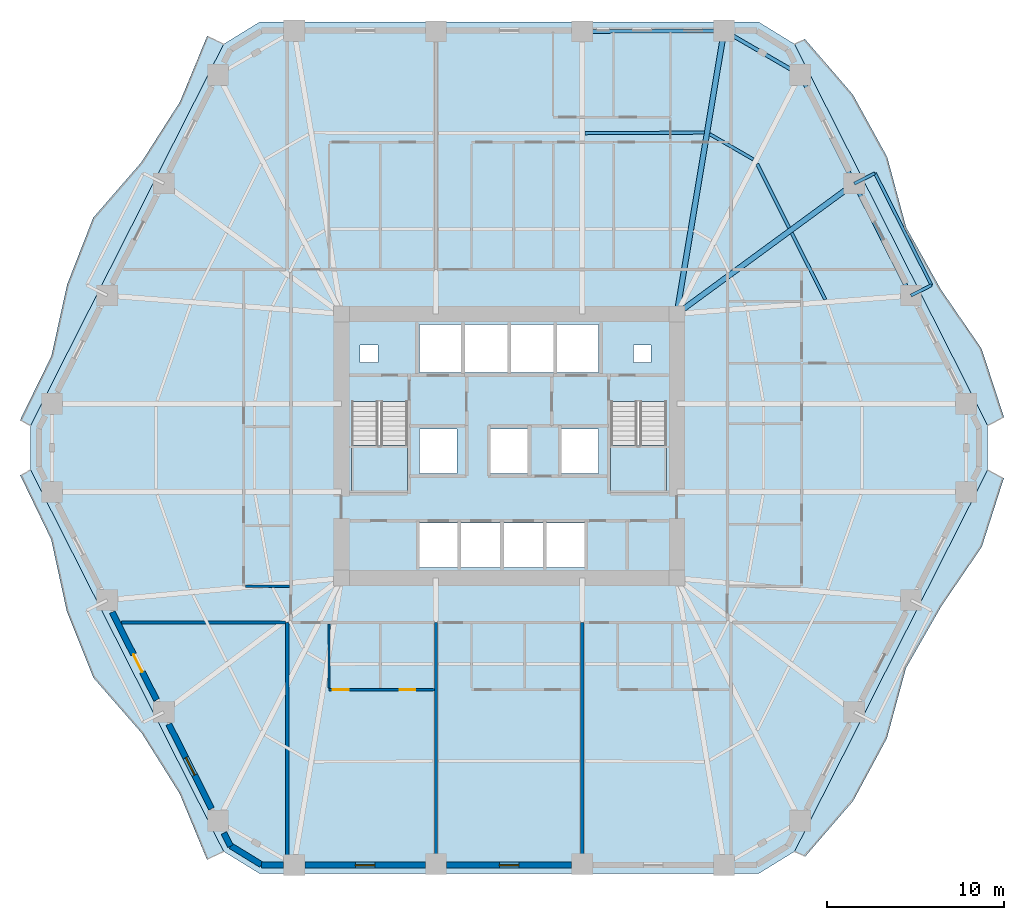
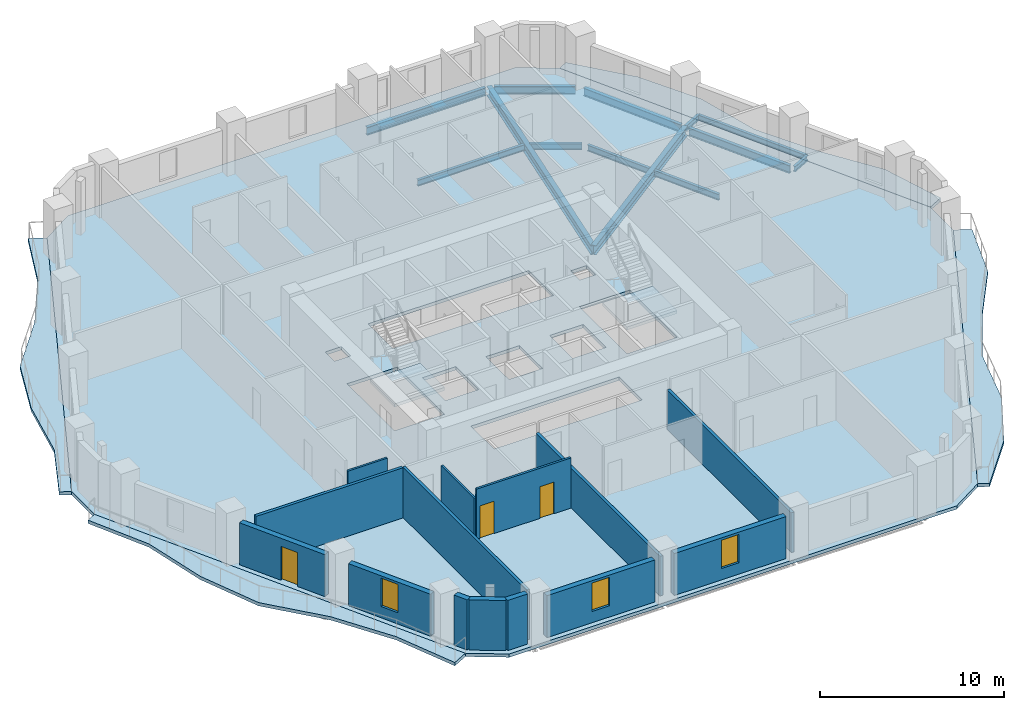
# One storey, part 3 of 11: 14 walls, 13 beams, 7 slabs, 3 doors, 3 windows, 6 openings, 2 elements without a shape of their own.
"""IFC4 building model written with IfcOpenShell, lengths in metres."""

from ifc_helpers import new_model, si_unit, direction, frame, frame_2d, origin, origin_2d, place, context, subcontext, project, spatial, polyline, rectangle, i_section, outline, extrude, material, layer, layer_set, material_profile, profile_set, type_object, element, fill, aggregate, save


model = new_model("IFC4")

# Units and contexts
model_context = context("Model", 3, precision=1e-05, world=origin(), true_north=direction((0.0, 1.0)))
body_context = subcontext(model_context, "Body", "Model", "MODEL_VIEW")
ifc_project = project(units=[si_unit("LENGTHUNIT", "METRE"), si_unit("AREAUNIT", "SQUARE_METRE"), si_unit("VOLUMEUNIT", "CUBIC_METRE"), si_unit("PLANEANGLEUNIT", "RADIAN"), si_unit("MASSUNIT", "GRAM", prefix="KILO")], contexts=[model_context])

# Site, building, storey
site_placement = place(None, origin())
site = spatial("IfcSite", under=ifc_project, at=site_placement, CompositionType="ELEMENT")
building_placement = place(site_placement, origin())
building = spatial("IfcBuilding", under=site, at=building_placement, Name="Cinnabar Lancet Tower", CompositionType="ELEMENT")
storey_placement = place(building_placement, frame((0.0, 0.0, 60.39990234375)))
storey = spatial("IfcBuildingStorey", under=building, at=storey_placement, Name="L15", CompositionType="ELEMENT", Elevation=60.39990234375)

# Beams
ifc_material_1 = material(Name="Structural steel S355", Category="steel")
ifc_material_profile_1 = material_profile(ifc_material_1, i_section(OverallWidth=0.177978515625, OverallDepth=0.406494140625, WebThickness=0.0078125, FlangeThickness=0.0126953125, FilletRadius=0.01025390625, at=origin_2d()), Name="UKB 406x178x60")
ifc_profile_set_1 = profile_set([ifc_material_profile_1], Name="Structural steel S355")
beam_type_1 = type_object("IfcBeamType", Name="STR-BM-JST-406", PredefinedType="JOIST", material=ifc_profile_set_1)
beam_1_placement = place(storey_placement, frame((50.220947265625, 34.156982421875, -0.4228515625), z_axis=(-0.450834254961, 0.89260768233, 0.0), x_axis=(-0.89260768233, -0.450834254961, 0.0)))
element("IfcBeam", 1, at=beam_1_placement, inside=storey, type_object=beam_type_1, Name="L15 Secondary Floor Joist 27", PredefinedType="JOIST", context=body_context, shape_type="SweptSolid", body=[
    extrude(i_section(OverallWidth=0.177978515625, OverallDepth=0.406494140625, WebThickness=0.0078125, FlangeThickness=0.0126953125, FilletRadius=0.01025390625, at=origin_2d()), origin(), (0.0, 0.0, 1.0), 4.203369140625),
])
beam_2_placement = place(storey_placement, frame((48.18603515625, 38.18798828125, -0.4228515625), z_axis=(-0.445738672706, 0.895163133543, 0.0), x_axis=(-0.895163133543, -0.445738672706, 0.0)))
element("IfcBeam", 2, at=beam_2_placement, inside=storey, type_object=beam_type_1, Name="L15 Secondary Floor Joist 29", PredefinedType="JOIST", context=body_context, shape_type="SweptSolid", body=[
    extrude(i_section(OverallWidth=0.177978515625, OverallDepth=0.406494140625, WebThickness=0.0078125, FlangeThickness=0.0126953125, FilletRadius=0.01025390625, at=origin_2d()), origin(), (0.0, 0.0, 1.0), 4.04052734375),
])
beam_3_placement = place(storey_placement, frame((46.1669921875, 42.052001953125, -0.4228515625), z_axis=(-0.865113631149, 0.50157592167, 0.0), x_axis=(-0.50157592167, -0.865113631149, 0.0)))
element("IfcBeam", 3, at=beam_3_placement, inside=storey, type_object=beam_type_1, Name="L15 Secondary Floor Joist 31", PredefinedType="JOIST", context=body_context, shape_type="SweptSolid", body=[
    extrude(i_section(OverallWidth=0.177978515625, OverallDepth=0.406494140625, WebThickness=0.0078125, FlangeThickness=0.0126953125, FilletRadius=0.01025390625, at=origin_2d()), origin(), (0.0, 0.0, 1.0), 2.852783203125),
])
beam_4_placement = place(storey_placement, frame((43.40087890625, 43.56396484375, -0.4228515625), z_axis=(-0.999988691118, -0.004755800274, 0.0), x_axis=(0.004755800274, -0.999988691118, 0.0)))
element("IfcBeam", 4, at=beam_4_placement, inside=storey, type_object=beam_type_1, Name="L15 Secondary Floor Joist 33", PredefinedType="JOIST", context=body_context, shape_type="SweptSolid", body=[
    extrude(i_section(OverallWidth=0.177978515625, OverallDepth=0.406494140625, WebThickness=0.0078125, FlangeThickness=0.0126953125, FilletRadius=0.01025390625, at=origin_2d()), origin(), (0.0, 0.0, 1.0), 6.724853515625),
])
ifc_material_2 = material(Name="Structural steel S355", Category="steel")
ifc_material_profile_2 = material_profile(ifc_material_2, i_section(OverallWidth=0.209228515625, OverallDepth=0.533203125, WebThickness=0.010009765625, FlangeThickness=0.015625, FilletRadius=0.0126953125, at=origin_2d()), Name="UKB 533x210x92")
ifc_profile_set_2 = profile_set([ifc_material_profile_2], Name="Structural steel S355")
beam_type_2 = type_object("IfcBeamType", Name="STR-BM-SPN-533", PredefinedType="SPANDREL", material=ifc_profile_set_2)
beam_5_placement = place(storey_placement, frame((54.93310546875, 34.60302734375, -0.48681640625), z_axis=(-0.450703143926, 0.892673891214, 0.0), x_axis=(-0.892673891214, -0.450703143926, 0.0)))
element("IfcBeam", 5, at=beam_5_placement, inside=storey, type_object=beam_type_2, Name="L15 Perimeter Spandrel 10", PredefinedType="SPANDREL", context=body_context, shape_type="SweptSolid", body=[
    extrude(i_section(OverallWidth=0.209228515625, OverallDepth=0.533203125, WebThickness=0.010009765625, FlangeThickness=0.015625, FilletRadius=0.0126953125, at=origin_2d()), origin(), (0.0, 0.0, 1.0), 6.570068359375),
])
beam_6_placement = place(storey_placement, frame((51.748046875, 40.9150390625, -0.48681640625), z_axis=(-0.445953050023, 0.89505635419, 0.0), x_axis=(-0.89505635419, -0.445953050023, 0.0)))
element("IfcBeam", 6, at=beam_6_placement, inside=storey, type_object=beam_type_2, Name="L15 Perimeter Spandrel 11", PredefinedType="SPANDREL", context=body_context, shape_type="SweptSolid", body=[
    extrude(i_section(OverallWidth=0.209228515625, OverallDepth=0.533203125, WebThickness=0.010009765625, FlangeThickness=0.015625, FilletRadius=0.0126953125, at=origin_2d()), origin(), (0.0, 0.0, 1.0), 6.35498046875),
])
beam_7_placement = place(storey_placement, frame((48.5869140625, 46.951904296875, -0.48681640625), z_axis=(-0.865147238596, 0.501517951374, 0.0), x_axis=(-0.501517951374, -0.865147238596, 0.0)))
element("IfcBeam", 7, at=beam_7_placement, inside=storey, type_object=beam_type_2, Name="L15 Perimeter Spandrel 12", PredefinedType="SPANDREL", context=body_context, shape_type="SweptSolid", body=[
    extrude(i_section(OverallWidth=0.209228515625, OverallDepth=0.533203125, WebThickness=0.010009765625, FlangeThickness=0.015625, FilletRadius=0.0126953125, at=origin_2d()), origin(), (0.0, 0.0, 1.0), 4.454833984375),
])
beam_8_placement = place(storey_placement, frame((44.26708984375, 49.30908203125, -0.48681640625), z_axis=(-0.99997856757, -0.006547090947, 0.0), x_axis=(0.006547090947, -0.99997856757, 0.0)))
element("IfcBeam", 8, at=beam_8_placement, inside=storey, type_object=beam_type_2, Name="L15 Perimeter Spandrel 13", PredefinedType="SPANDREL", context=body_context, shape_type="SweptSolid", body=[
    extrude(i_section(OverallWidth=0.209228515625, OverallDepth=0.533203125, WebThickness=0.010009765625, FlangeThickness=0.015625, FilletRadius=0.0126953125, at=origin_2d()), origin(), (0.0, 0.0, 1.0), 7.495361328125),
])
ifc_material_3 = material(Name="Structural steel S355", Category="steel")
ifc_material_profile_3 = material_profile(ifc_material_3, i_section(OverallWidth=0.30712890625, OverallDepth=0.6201171875, WebThickness=0.01416015625, FlangeThickness=0.023681640625, FilletRadius=0.0166015625, at=origin_2d()), Name="UKB 610x305x179")
ifc_profile_set_3 = profile_set([ifc_material_profile_3], Name="Structural steel S355")
beam_type_3 = type_object("IfcBeamType", Name="STR-BM-UKB610-179", PredefinedType="BEAM", material=ifc_profile_set_3)
beam_9_placement = place(storey_placement, frame((51.85888671875, 40.69091796875, -0.52978515625), z_axis=(-0.80636497312, -0.591418236213, 0.0), x_axis=(0.591418236213, -0.80636497312, 0.0)))
element("IfcBeam", 9, at=beam_9_placement, inside=storey, type_object=beam_type_3, Name="L15 Corner Collector Girder 3", PredefinedType="BEAM", context=body_context, shape_type="SweptSolid", body=[
    extrude(i_section(OverallWidth=0.30712890625, OverallDepth=0.6201171875, WebThickness=0.01416015625, FlangeThickness=0.023681640625, FilletRadius=0.0166015625, at=origin_2d()), origin(), (0.0, 0.0, 1.0), 12.412353515625),
])
beam_10_placement = place(storey_placement, frame((44.51708984375, 49.31103515625, -0.52978515625), z_axis=(-0.164809990854, -0.986325335229, 0.0), x_axis=(0.986325335229, -0.164809990854, 0.0)))
element("IfcBeam", 10, at=beam_10_placement, inside=storey, type_object=beam_type_3, Name="L15 Primary Floor Girder 13", PredefinedType="BEAM", context=body_context, shape_type="SweptSolid", body=[
    extrude(i_section(OverallWidth=0.30712890625, OverallDepth=0.6201171875, WebThickness=0.01416015625, FlangeThickness=0.023681640625, FilletRadius=0.0166015625, at=origin_2d()), origin(), (0.0, 0.0, 1.0), 16.18212890625),
])
ifc_material_4 = material(Name="Structural steel S355", Category="steel")
ifc_material_profile_4 = material_profile(ifc_material_4, i_section(OverallWidth=0.17138671875, OverallDepth=0.35498046875, WebThickness=0.00732421875, FlangeThickness=0.011474609375, FilletRadius=0.01025390625, at=origin_2d()), Name="UKB 356x171x51")
ifc_profile_set_4 = profile_set([ifc_material_profile_4], Name="Structural steel S355")
beam_type_4 = type_object("IfcBeamType", Name="STR-BM-WAV-OUT", PredefinedType="BEAM", material=ifc_profile_set_4)
for number, where, z_axis, x_axis, name in (
    (11, (55.0458984375, 34.3798828125, -0.39794921875), (0.892238560088, 0.451564338597, 0.0), (-0.451564338597, 0.892238560088, 0.0), "L15 Face 3 Balcony Outlooker A"),
    (12, (51.85888671875, 40.69091796875, -0.39794921875), (0.892238560088, 0.451564338597, 0.0), (-0.451564338597, 0.892238560088, 0.0), "L15 Face 3 Balcony Outlooker B"),
):
    element("IfcBeam", number, at=place(storey_placement, frame(where, z_axis=z_axis, x_axis=x_axis)), inside=storey, type_object=beam_type_4, Name=name, PredefinedType="BEAM", context=body_context, shape_type="SweptSolid", body=[
        extrude(i_section(OverallWidth=0.17138671875, OverallDepth=0.35498046875, WebThickness=0.00732421875, FlangeThickness=0.011474609375, FilletRadius=0.01025390625, at=origin_2d()), origin(), (0.0, 0.0, 1.0), 1.30029296875),
    ])
ifc_material_5 = material(Name="Structural steel S355", Category="steel")
ifc_material_profile_5 = material_profile(ifc_material_5, i_section(OverallWidth=0.17138671875, OverallDepth=0.35498046875, WebThickness=0.00732421875, FlangeThickness=0.011474609375, FilletRadius=0.01025390625, at=origin_2d()), Name="UKB 356x171x51")
ifc_profile_set_5 = profile_set([ifc_material_profile_5], Name="Structural steel S355")
beam_type_5 = type_object("IfcBeamType", Name="STR-BM-WAV-TRIM", PredefinedType="SPANDREL", material=ifc_profile_set_5)
beam_11_placement = place(storey_placement, frame((56.2060546875, 34.967041015625, -0.39794921875), z_axis=(-0.450773692627, 0.892638268301, 0.0), x_axis=(-0.892638268301, -0.450773692627, 0.0)))
element("IfcBeam", 13, at=beam_11_placement, inside=storey, type_object=beam_type_5, Name="L15 Face 3 Balcony Edge Trimmer", PredefinedType="SPANDREL", context=body_context, shape_type="SweptSolid", body=[
    extrude(i_section(OverallWidth=0.17138671875, OverallDepth=0.35498046875, WebThickness=0.00732421875, FlangeThickness=0.011474609375, FilletRadius=0.01025390625, at=origin_2d()), origin(), (0.0, 0.0, 1.0), 7.070068359375),
])

# Stair, slab
ifc_material_6 = material(Name="Concrete C40/50", Category="concrete")
stair_type = type_object("IfcStairType", Name="ST-CORE", PredefinedType="HALF_TURN_STAIR", material=ifc_material_6)
stair_1_placement = place(storey_placement, origin())
stair_1 = element("IfcStair", 14, at=stair_1_placement, inside=storey, type_object=stair_type, Name="L15 ST-1", PredefinedType="HALF_TURN_STAIR")
ifc_material_7 = material(Name="Concrete C40/50", Category="concrete")
ifc_layer_1 = layer(ifc_material_7, 0.199951171875)
ifc_layer_set_1 = layer_set([ifc_layer_1], Name="Concrete C40/50")
slab_type_1 = type_object("IfcSlabType", Name="LANDING-CORE", PredefinedType="LANDING", material=ifc_layer_set_1)
slab_1_placement = place(storey_placement, frame((0.0, 0.0, 1.5751953125)))
slab_1 = element("IfcSlab", 15, at=slab_1_placement, type_object=slab_type_1, Name="ST-1 landing 1", PredefinedType="LANDING", context=body_context, shape_type="SweptSolid", body=[
    extrude(outline(polyline([(23.52490234375, 25.925048828125), (23.52490234375, 23.25), (26.675048828125, 23.25), (26.675048828125, 25.925048828125), (23.52490234375, 25.925048828125)])), origin(), (0.0, 0.0, 1.0), 0.199951171875),
])
aggregate(stair_1, [slab_1])

stair_2_placement = place(storey_placement, origin())
stair_2 = element("IfcStair", 16, at=stair_2_placement, inside=storey, type_object=stair_type, Name="L15 ST-2", PredefinedType="HALF_TURN_STAIR")
slab_2_placement = place(storey_placement, frame((0.0, 0.0, 1.5751953125)))
slab_2 = element("IfcSlab", 17, at=slab_2_placement, type_object=slab_type_1, Name="ST-2 landing 1", PredefinedType="LANDING", context=body_context, shape_type="SweptSolid", body=[
    extrude(outline(polyline([(38.125, 25.925048828125), (38.125, 23.25), (41.27490234375, 23.25), (41.27490234375, 25.925048828125), (38.125, 25.925048828125)])), origin(), (0.0, 0.0, 1.0), 0.199951171875),
])
aggregate(stair_2, [slab_2])

# Slabs
ifc_material_8 = material(Name="Concrete C40/50", Category="concrete")
ifc_layer_2 = layer(ifc_material_8, 0.219970703125)
ifc_layer_set_2 = layer_set([ifc_layer_2], Name="Concrete C40/50")
slab_type_2 = type_object("IfcSlabType", Name="STR-SLB-FLR-220", PredefinedType="FLOOR", material=ifc_layer_set_2)
slab_3_placement = place(storey_placement, frame((0.0, 0.0, -0.219970703125)))
element("IfcSlab", 18, at=slab_3_placement, inside=storey, type_object=slab_type_2, Name="L15 Structural Floor Slab", PredefinedType="FLOOR", context=body_context, shape_type="SweptSolid", body=[
    extrude(outline(polyline([(16.31201171875, 3.049072265625), (18.343994140625, 1.800048828125), (46.4560546875, 1.800048828125), (48.488037109375, 3.049072265625), (59.367919921875, 24.551025390625), (59.367919921875, 27.049072265625), (48.488037109375, 48.551025390625), (46.4560546875, 49.800048828125), (18.343994140625, 49.800048828125), (16.31201171875, 48.551025390625), (5.431884765625, 27.049072265625), (5.431884765625, 24.551025390625), (16.31201171875, 3.049072265625)]), holes=[polyline([(23.52490234375, 23.25), (26.675048828125, 23.25), (26.675048828125, 28.3994140625), (23.52490234375, 28.3994140625), (23.52490234375, 23.25)]), polyline([(38.125, 23.25), (41.27490234375, 23.25), (41.27490234375, 28.3994140625), (38.125, 28.3994140625), (38.125, 23.25)]), polyline([(27.35009765625, 30.050048828125), (37.449951171875, 30.050048828125), (37.449951171875, 32.75), (27.35009765625, 32.75), (27.35009765625, 30.050048828125)]), polyline([(27.35009765625, 19.050048828125), (36.64990234375, 19.050048828125), (36.64990234375, 21.550048828125), (27.35009765625, 21.550048828125), (27.35009765625, 19.050048828125)]), polyline([(27.35009765625, 24.35009765625), (29.449951171875, 24.35009765625), (29.449951171875, 26.85009765625), (27.35009765625, 26.85009765625), (27.35009765625, 24.35009765625)]), polyline([(35.35009765625, 24.35009765625), (37.449951171875, 24.35009765625), (37.449951171875, 26.85009765625), (35.35009765625, 26.85009765625), (35.35009765625, 24.35009765625)]), polyline([(31.35009765625, 24.35009765625), (33.449951171875, 24.35009765625), (33.449951171875, 26.85009765625), (31.35009765625, 26.85009765625), (31.35009765625, 24.35009765625)]), polyline([(24.0, 30.60009765625), (25.0, 30.60009765625), (25.0, 31.60009765625), (24.0, 31.60009765625), (24.0, 30.60009765625)]), polyline([(39.39990234375, 30.60009765625), (40.39990234375, 30.60009765625), (40.39990234375, 31.60009765625), (39.39990234375, 31.60009765625), (39.39990234375, 30.60009765625)])]), origin(), (0.0, 0.0, 1.0), 0.219970703125),
])
ifc_material_9 = material(Name="Concrete C45/55", Category="concrete")
ifc_layer_3 = layer(ifc_material_9, 0.219970703125)
ifc_layer_set_3 = layer_set([ifc_layer_3], Name="Concrete C45/55")
slab_type_3 = type_object("IfcSlabType", Name="STR-SLB-WAV-220", PredefinedType="FLOOR", material=ifc_layer_set_3)
slab_4_placement = place(storey_placement, frame((0.0, 0.0, -0.219970703125)))
element("IfcSlab", 19, at=slab_4_placement, inside=storey, type_object=slab_type_3, Name="L15 Face 2 Undulating Wave Balcony Slab", PredefinedType="FLOOR", context=body_context, shape_type="SweptSolid", body=[
    extrude(outline(polyline([(48.488037109375, 3.049072265625), (49.073974609375, 2.751953125), (51.779052734375, 5.885009765625), (53.68701171875, 9.4208984375), (54.762939453125, 13.3779296875), (56.756103515625, 16.8701171875), (59.0390625, 20.216064453125), (60.281005859375, 24.089111328125), (59.367919921875, 24.551025390625), (48.488037109375, 3.049072265625)])), origin(), (0.0, 0.0, 1.0), 0.219970703125),
])
slab_5_placement = place(storey_placement, frame((0.0, 0.0, -0.219970703125)))
element("IfcSlab", 20, at=slab_5_placement, inside=storey, type_object=slab_type_3, Name="L15 Face 3 Undulating Wave Balcony Slab", PredefinedType="FLOOR", context=body_context, shape_type="SweptSolid", body=[
    extrude(outline(polyline([(59.367919921875, 27.049072265625), (60.2919921875, 27.51708984375), (59.030029296875, 31.37890625), (56.736083984375, 34.719970703125), (54.77490234375, 38.22802734375), (53.7060546875, 42.18896484375), (51.77001953125, 45.7099609375), (49.06298828125, 48.842041015625), (48.488037109375, 48.551025390625), (59.367919921875, 27.049072265625)])), origin(), (0.0, 0.0, 1.0), 0.219970703125),
])
slab_6_placement = place(storey_placement, frame((0.0, 0.0, -0.219970703125)))
element("IfcSlab", 21, at=slab_6_placement, inside=storey, type_object=slab_type_3, Name="L15 Face 5 Undulating Wave Balcony Slab", PredefinedType="FLOOR", context=body_context, shape_type="SweptSolid", body=[
    extrude(outline(polyline([(16.31201171875, 48.551025390625), (15.387939453125, 49.01904296875), (13.84912109375, 45.2958984375), (11.677001953125, 41.89404296875), (8.9609375, 38.76708984375), (7.492919921875, 35.009033203125), (6.60107421875, 30.958984375), (4.833984375, 27.35107421875), (5.431884765625, 27.049072265625), (16.31201171875, 48.551025390625)])), origin(), (0.0, 0.0, 1.0), 0.219970703125),
])
slab_7_placement = place(storey_placement, frame((0.0, 0.0, -0.219970703125)))
element("IfcSlab", 22, at=slab_7_placement, inside=storey, type_object=slab_type_3, Name="L15 Face 6 Undulating Wave Balcony Slab", PredefinedType="FLOOR", context=body_context, shape_type="SweptSolid", body=[
    extrude(outline(polyline([(5.431884765625, 24.551025390625), (4.845947265625, 24.25390625), (6.592041015625, 20.636962890625), (7.472900390625, 16.5810546875), (8.972900390625, 12.839111328125), (11.697021484375, 9.716064453125), (13.839111328125, 6.299072265625), (15.376953125, 2.575927734375), (16.31201171875, 3.049072265625), (5.431884765625, 24.551025390625)])), origin(), (0.0, 0.0, 1.0), 0.219970703125),
])

# Walls
ifc_material_10 = material(Name="Fire-rated twin-frame acoustic drywall", Category="gypsum")
ifc_layer_4 = layer(ifc_material_10, 0.179931640625)
ifc_layer_set_4 = layer_set([ifc_layer_4], Name="Fire-rated twin-frame acoustic drywall")
wall_type_1 = type_object("IfcWallType", Name="ARC-WL-PARTY-180", PredefinedType="PARTITIONING", material=ifc_layer_set_4)
wall_1_placement = place(storey_placement, frame((19.89990234375, 2.455078125, 0.0), z_axis=(0.0, 0.0, 1.0), x_axis=(0.0, 1.0, 0.0)))
element("IfcWall", 23, at=wall_1_placement, inside=storey, type_object=wall_type_1, Name="PW-L15-SPTY-199", PredefinedType="PARTITIONING", context=body_context, shape_type="SweptSolid", body=[
    extrude(rectangle(XDim=13.494873046875, YDim=0.179931640625, at=frame_2d((6.74755859375, 0.0))), origin(), (0.0, 0.0, 1.0), 3.330078125),
])
for number, where, z_axis, x_axis, name in (
    (24, (28.278076171875, 2.455078125, 0.0), (0.0, 0.0, 1.0), (0.0, 1.0, 0.0), "PW-L15-SPTY-283"),
    (25, (36.52197265625, 2.455078125, 0.0), (0.0, 0.0, 1.0), (0.0, 1.0, 0.0), "PW-L15-SPTY-365"),
):
    element("IfcWall", number, at=place(storey_placement, frame(where, z_axis=z_axis, x_axis=x_axis)), inside=storey, type_object=wall_type_1, Name=name, PredefinedType="PARTITIONING", context=body_context, shape_type="SweptSolid", body=[
        extrude(rectangle(XDim=13.494873046875, YDim=0.179931640625, at=frame_2d((6.74755859375, 0.0))), origin(), (0.0, 0.0, 1.0), 2.635986328125),
    ])
wall_2_placement = place(storey_placement, frame((10.56396484375, 15.949951171875, 0.0), z_axis=(0.0, 0.0, 1.0), x_axis=(1.0, 0.0, 0.0)))
element("IfcWall", 26, at=wall_2_placement, inside=storey, type_object=wall_type_1, Name="PW-L15-WSB", PredefinedType="PARTITIONING", context=body_context, shape_type="SweptSolid", body=[
    extrude(rectangle(XDim=9.240966796875, YDim=0.179931640625, at=frame_2d((4.62060546875, 0.0))), origin(), (0.0, 0.0, 1.0), 3.330078125),
])
ifc_material_11 = material(Name="Gypsum plasterboard stud partition", Category="gypsum")
ifc_layer_5 = layer(ifc_material_11, 0.125)
ifc_layer_set_5 = layer_set([ifc_layer_5], Name="Gypsum plasterboard stud partition")
wall_type_2 = type_object("IfcWallType", Name="ARC-WL-UNIT-125", PredefinedType="PARTITIONING", material=ifc_layer_set_5)
wall_3_placement = place(storey_placement, frame((22.25, 12.27587890625, 0.0), z_axis=(0.0, 0.0, 1.0), x_axis=(0.0, 1.0, 0.0)))
element("IfcWall", 27, at=wall_3_placement, inside=storey, type_object=wall_type_2, Name="UW-L15-S01-FOYE", PredefinedType="PARTITIONING", context=body_context, shape_type="SweptSolid", body=[
    extrude(rectangle(XDim=3.589111328125, YDim=0.125, at=frame_2d((1.79443359375, 0.0))), origin(), (0.0, 0.0, 1.0), 2.635986328125),
])
wall_4_placement = place(storey_placement, frame((17.534912109375, 18.0, 0.0), z_axis=(0.0, 0.0, 1.0), x_axis=(1.0, 0.0, 0.0)))
element("IfcWall", 28, at=wall_4_placement, inside=storey, type_object=wall_type_2, Name="UW-L15-W01-FOYN", PredefinedType="PARTITIONING", context=body_context, shape_type="SweptSolid", body=[
    extrude(rectangle(XDim=2.47998046875, YDim=0.125, at=frame_2d((1.239990234375, 0.0))), origin(), (0.0, 0.0, 1.0), 2.635986328125),
])

# Wall, openings, doors
ifc_material_12 = material(Name="Moisture-resistant cement-board plumbing wall", Category="masonry")
ifc_layer_6 = layer(ifc_material_12, 0.139892578125)
ifc_layer_set_6 = layer_set([ifc_layer_6], Name="Moisture-resistant cement-board plumbing wall")
wall_type_3 = type_object("IfcWallType", Name="ARC-WL-WET-140", PredefinedType="PLUMBINGWALL", material=ifc_layer_set_6)
wall_5_placement = place(storey_placement, frame((22.25, 12.1708984375, 0.0), z_axis=(0.0, 0.0, 1.0), x_axis=(1.0, 0.0, 0.0)))
wall_5 = element("IfcWall", 29, at=wall_5_placement, inside=storey, type_object=wall_type_3, Name="UW-L15-S01-SPL", PredefinedType="PLUMBINGWALL", context=body_context, shape_type="SweptSolid", body=[
    extrude(rectangle(XDim=5.93310546875, YDim=0.139892578125, at=frame_2d((2.966552734375, 0.0))), origin(), (0.0, 0.0, 1.0), 3.330078125),
])
opening_1_placement = place(wall_5_placement, frame((3.988037109375, 0.0, 0.0)))
opening_1 = element("IfcOpeningElement", 30, at=opening_1_placement, cuts=wall_5, Name="Opening BD-01", PredefinedType="OPENING", context=body_context, shape_type="SweptSolid", body=[
    extrude(rectangle(XDim=0.860107421875, YDim=2.10009765625, at=frame_2d((0.43017578125, 1.050048828125))), frame((0.0, 0.079833984375, 0.0), z_axis=(0.0, -1.0, 0.0), x_axis=(1.0, 0.0, 0.0)), (0.0, 0.0, 1.0), 0.159912109375),
])
opening_2_placement = place(wall_5_placement, frame((0.219970703125, 0.0, 0.0)))
opening_2 = element("IfcOpeningElement", 31, at=opening_2_placement, cuts=wall_5, Name="Opening RD-02", PredefinedType="OPENING", context=body_context, shape_type="SweptSolid", body=[
    extrude(rectangle(XDim=0.8798828125, YDim=2.14990234375, at=frame_2d((0.43994140625, 1.074951171875))), frame((0.0, 0.079833984375, 0.0), z_axis=(0.0, -1.0, 0.0), x_axis=(1.0, 0.0, 0.0)), (0.0, 0.0, 1.0), 0.159912109375),
])
ifc_material_13 = material(Name="Moisture-resistant timber bathroom door", Category="wood")
door_type_1 = type_object("IfcDoorType", Name="ARC-DR-BATH", OperationType="NOTDEFINED", PredefinedType="DOOR", material=ifc_material_13)
door_1_placement = place(opening_1_placement, origin())
door_1 = element("IfcDoor", 32, at=door_1_placement, inside=storey, type_object=door_type_1, Name="DR-L15-S01-BTH", OperationType="SINGLE_SWING_RIGHT", OverallHeight=2.10009765625, OverallWidth=0.860107421875, PredefinedType="DOOR", context=body_context, shape_type="SweptSolid", body=[
    extrude(rectangle(XDim=0.860107421875, YDim=2.10009765625, at=frame_2d((0.43017578125, 1.050048828125))), frame((0.0, 0.02490234375, 0.0), z_axis=(0.0, -1.0, 0.0), x_axis=(1.0, 0.0, 0.0)), (0.0, 0.0, 1.0), 0.050048828125),
])
fill(opening_1, door_1)
ifc_material_14 = material(Name="Engineered timber study door", Category="wood")
door_type_2 = type_object("IfcDoorType", Name="ARC-DR-STUDY", OperationType="NOTDEFINED", PredefinedType="DOOR", material=ifc_material_14)
door_2_placement = place(opening_2_placement, origin())
door_2 = element("IfcDoor", 33, at=door_2_placement, inside=storey, type_object=door_type_2, Name="DR-L15-S01-KIT", OperationType="SINGLE_SWING_LEFT", OverallHeight=2.14990234375, OverallWidth=0.8798828125, PredefinedType="DOOR", context=body_context, shape_type="SweptSolid", body=[
    extrude(rectangle(XDim=0.8798828125, YDim=2.14990234375, at=frame_2d((0.43994140625, 1.074951171875))), frame((0.0, 0.02490234375, 0.0), z_axis=(0.0, -1.0, 0.0), x_axis=(1.0, 0.0, 0.0)), (0.0, 0.0, 1.0), 0.050048828125),
])
fill(opening_2, door_2)

# Walls
ifc_material_15 = material(Name="Cinnabar red clay brick", Category="masonry")
ifc_layer_7 = layer(ifc_material_15, 0.340087890625)
ifc_layer_set_7 = layer_set([ifc_layer_7], Name="Cinnabar red clay brick")
wall_type_4 = type_object("IfcWallType", Name="ENV-WL-BRK-RED-340", PredefinedType="STANDARD", material=ifc_layer_set_7)
wall_6_placement = place(storey_placement, frame((16.719970703125, 3.362060546875, 0.0), z_axis=(0.0, 0.0, 1.0), x_axis=(0.851816122478, -0.523840904748, 0.0)))
element("IfcWall", 34, at=wall_6_placement, inside=storey, type_object=wall_type_4, Name="L15 Chamfered Corner Brick Pier 1.1", PredefinedType="STANDARD", context=body_context, shape_type="SweptSolid", body=[
    extrude(rectangle(XDim=2.01806640625, YDim=0.340087890625, at=frame_2d((1.009033203125, 0.0))), origin(), (0.0, 0.0, 1.0), 3.330078125),
])
wall_7_placement = place(storey_placement, frame((18.43408203125, 2.280029296875, 0.0), z_axis=(0.0, 0.0, 1.0), x_axis=(1.0, 0.0, 0.0)))
element("IfcWall", 35, at=wall_7_placement, inside=storey, type_object=wall_type_4, Name="L15 Face 1 Masonry Bay Wall 1", PredefinedType="STANDARD", context=body_context, shape_type="SweptSolid", body=[
    extrude(rectangle(XDim=1.244873046875, YDim=0.340087890625, at=frame_2d((0.62255859375, 0.0))), origin(), (0.0, 0.0, 1.0), 3.330078125),
])

# Wall, opening, window
wall_8_placement = place(storey_placement, frame((20.886962890625, 2.280029296875, 0.0), z_axis=(0.0, 0.0, 1.0), x_axis=(1.0, 0.0, 0.0)))
wall_8 = element("IfcWall", 36, at=wall_8_placement, inside=storey, type_object=wall_type_4, Name="L15 Face 1 Masonry Bay Wall 2", PredefinedType="STANDARD", context=body_context, shape_type="SweptSolid", body=[
    extrude(rectangle(XDim=6.787109375, YDim=0.340087890625, at=frame_2d((3.3935546875, 0.0))), origin(), (0.0, 0.0, 1.0), 2.787109375),
])
opening_3_placement = place(wall_8_placement, frame((2.843017578125, 0.0, 0.75)))
opening_3 = element("IfcOpeningElement", 37, at=opening_3_placement, cuts=wall_8, Name="Opening WN-04", PredefinedType="OPENING", context=body_context, shape_type="SweptSolid", body=[
    extrude(rectangle(XDim=1.10009765625, YDim=1.886962890625, at=frame_2d((0.550048828125, 0.943359375))), frame((0.0, 0.179931640625, 0.0), z_axis=(0.0, -1.0, 0.0), x_axis=(1.0, 0.0, 0.0)), (0.0, 0.0, 1.0), 0.360107421875),
])
ifc_material_16 = material(Name="Thermally broken bronze-anodized aluminium tall lancet window", Category="aluminium")
window_type = type_object("IfcWindowType", Name="ENV-WN-LANCET-1100", PartitioningType="SINGLE_PANEL", PredefinedType="WINDOW", material=ifc_material_16)
window_1_placement = place(opening_3_placement, origin())
window_1 = element("IfcWindow", 38, at=window_1_placement, inside=storey, type_object=window_type, Name="L15 Face 1 Gothic Lancet Window 2", OverallHeight=1.886962890625, OverallWidth=1.10009765625, PartitioningType="SINGLE_PANEL", PredefinedType="WINDOW", context=body_context, shape_type="SweptSolid", body=[
    extrude(rectangle(XDim=1.10009765625, YDim=1.886962890625, at=frame_2d((0.550048828125, 0.943359375))), frame((0.0, 0.030029296875, 0.0), z_axis=(0.0, -1.0, 0.0), x_axis=(1.0, 0.0, 0.0)), (0.0, 0.0, 1.0), 0.06005859375),
])
fill(opening_3, window_1)

wall_9_placement = place(storey_placement, frame((28.882080078125, 2.280029296875, 0.0), z_axis=(0.0, 0.0, 1.0), x_axis=(1.0, 0.0, 0.0)))
wall_9 = element("IfcWall", 39, at=wall_9_placement, inside=storey, type_object=wall_type_4, Name="L15 Face 1 Masonry Bay Wall 3", PredefinedType="STANDARD", context=body_context, shape_type="SweptSolid", body=[
    extrude(rectangle(XDim=7.035888671875, YDim=0.340087890625, at=frame_2d((3.51806640625, 0.0))), origin(), (0.0, 0.0, 1.0), 2.787109375),
])
opening_4_placement = place(wall_9_placement, frame((2.968017578125, 0.0, 0.75)))
opening_4 = element("IfcOpeningElement", 40, at=opening_4_placement, cuts=wall_9, Name="Opening WN-04", PredefinedType="OPENING", context=body_context, shape_type="SweptSolid", body=[
    extrude(rectangle(XDim=1.10009765625, YDim=1.886962890625, at=frame_2d((0.550048828125, 0.943359375))), frame((0.0, 0.179931640625, 0.0), z_axis=(0.0, -1.0, 0.0), x_axis=(1.0, 0.0, 0.0)), (0.0, 0.0, 1.0), 0.360107421875),
])
window_2_placement = place(opening_4_placement, origin())
window_2 = element("IfcWindow", 41, at=window_2_placement, inside=storey, type_object=window_type, Name="L15 Face 1 Gothic Lancet Window 3", OverallHeight=1.886962890625, OverallWidth=1.10009765625, PartitioningType="SINGLE_PANEL", PredefinedType="WINDOW", context=body_context, shape_type="SweptSolid", body=[
    extrude(rectangle(XDim=1.10009765625, YDim=1.886962890625, at=frame_2d((0.550048828125, 0.943359375))), frame((0.0, 0.030029296875, 0.0), z_axis=(0.0, -1.0, 0.0), x_axis=(1.0, 0.0, 0.0)), (0.0, 0.0, 1.0), 0.06005859375),
])
fill(opening_4, window_2)

# Wall, opening, door
wall_10_placement = place(storey_placement, frame((10.02392578125, 16.5390625, 0.0), z_axis=(0.0, 0.0, 1.0), x_axis=(0.451627137896, -0.892206774417, 0.0)))
wall_10 = element("IfcWall", 42, at=wall_10_placement, inside=storey, type_object=wall_type_4, Name="L15 Face 6 Masonry Bay Wall 3", PredefinedType="STANDARD", context=body_context, shape_type="SweptSolid", body=[
    extrude(rectangle(XDim=5.546875, YDim=0.340087890625, at=frame_2d((2.7734375, 0.0))), origin(), (0.0, 0.0, 1.0), 2.787109375),
])
opening_5_placement = place(wall_10_placement, frame((2.678955078125, 0.0, 0.0)))
opening_5 = element("IfcOpeningElement", 43, at=opening_5_placement, cuts=wall_10, Name="Opening TD-01", PredefinedType="OPENING", context=body_context, shape_type="SweptSolid", body=[
    extrude(rectangle(XDim=1.10009765625, YDim=2.25, at=frame_2d((0.550048828125, 1.125))), frame((0.0, 0.179931640625, 0.0), z_axis=(0.0, -1.0, 0.0), x_axis=(1.0, 0.0, 0.0)), (0.0, 0.0, 1.0), 0.360107421875),
])
ifc_material_17 = material(Name="Thermally broken low-E glazed balcony terrace door", Category="wood")
door_type_3 = type_object("IfcDoorType", Name="ARC-DR-BALC", OperationType="NOTDEFINED", PredefinedType="DOOR", material=ifc_material_17)
door_3_placement = place(opening_5_placement, origin())
door_3 = element("IfcDoor", 44, at=door_3_placement, inside=storey, type_object=door_type_3, Name="L15 Face 6 Glazed Terrace Door", OperationType="SINGLE_SWING_LEFT", OverallHeight=2.25, OverallWidth=1.10009765625, PredefinedType="DOOR", context=body_context, shape_type="SweptSolid", body=[
    extrude(rectangle(XDim=1.10009765625, YDim=2.25, at=frame_2d((0.550048828125, 1.125))), frame((0.0, 0.02490234375, 0.0), z_axis=(0.0, -1.0, 0.0), x_axis=(1.0, 0.0, 0.0)), (0.0, 0.0, 1.0), 0.050048828125),
])
fill(opening_5, door_3)

# Wall, opening, window
wall_11_placement = place(storey_placement, frame((13.217041015625, 10.22802734375, 0.0), z_axis=(0.0, 0.0, 1.0), x_axis=(0.451697561555, -0.892171123095, 0.0)))
wall_11 = element("IfcWall", 45, at=wall_11_placement, inside=storey, type_object=wall_type_4, Name="L15 Face 6 Masonry Bay Wall 4", PredefinedType="STANDARD", context=body_context, shape_type="SweptSolid", body=[
    extrude(rectangle(XDim=5.350830078125, YDim=0.340087890625, at=frame_2d((2.67529296875, 0.0))), origin(), (0.0, 0.0, 1.0), 2.787109375),
])
opening_6_placement = place(wall_11_placement, frame((2.125, 0.0, 0.75)))
opening_6 = element("IfcOpeningElement", 46, at=opening_6_placement, cuts=wall_11, Name="Opening WN-04", PredefinedType="OPENING", context=body_context, shape_type="SweptSolid", body=[
    extrude(rectangle(XDim=1.10009765625, YDim=1.886962890625, at=frame_2d((0.550048828125, 0.943359375))), frame((0.0, 0.179931640625, 0.0), z_axis=(0.0, -1.0, 0.0), x_axis=(1.0, 0.0, 0.0)), (0.0, 0.0, 1.0), 0.360107421875),
])
window_3_placement = place(opening_6_placement, origin())
window_3 = element("IfcWindow", 47, at=window_3_placement, inside=storey, type_object=window_type, Name="L15 Face 6 Gothic Lancet Window 4", OverallHeight=1.886962890625, OverallWidth=1.10009765625, PartitioningType="SINGLE_PANEL", PredefinedType="WINDOW", context=body_context, shape_type="SweptSolid", body=[
    extrude(rectangle(XDim=1.10009765625, YDim=1.886962890625, at=frame_2d((0.550048828125, 0.943359375))), frame((0.0, 0.030029296875, 0.0), z_axis=(0.0, -1.0, 0.0), x_axis=(1.0, 0.0, 0.0)), (0.0, 0.0, 1.0), 0.06005859375),
])
fill(opening_6, window_3)

# Wall
wall_12_placement = place(storey_placement, frame((16.322021484375, 4.092041015625, 0.0), z_axis=(0.0, 0.0, 1.0), x_axis=(0.45187807258, -0.892079709175, 0.0)))
element("IfcWall", 48, at=wall_12_placement, inside=storey, type_object=wall_type_4, Name="L15 Face 6 Masonry Bay Wall 5", PredefinedType="STANDARD", context=body_context, shape_type="SweptSolid", body=[
    extrude(rectangle(XDim=0.83642578125, YDim=0.340087890625, at=frame_2d((0.418212890625, 0.0))), origin(), (0.0, 0.0, 1.0), 3.330078125),
])

save(model, "model.ifc")
